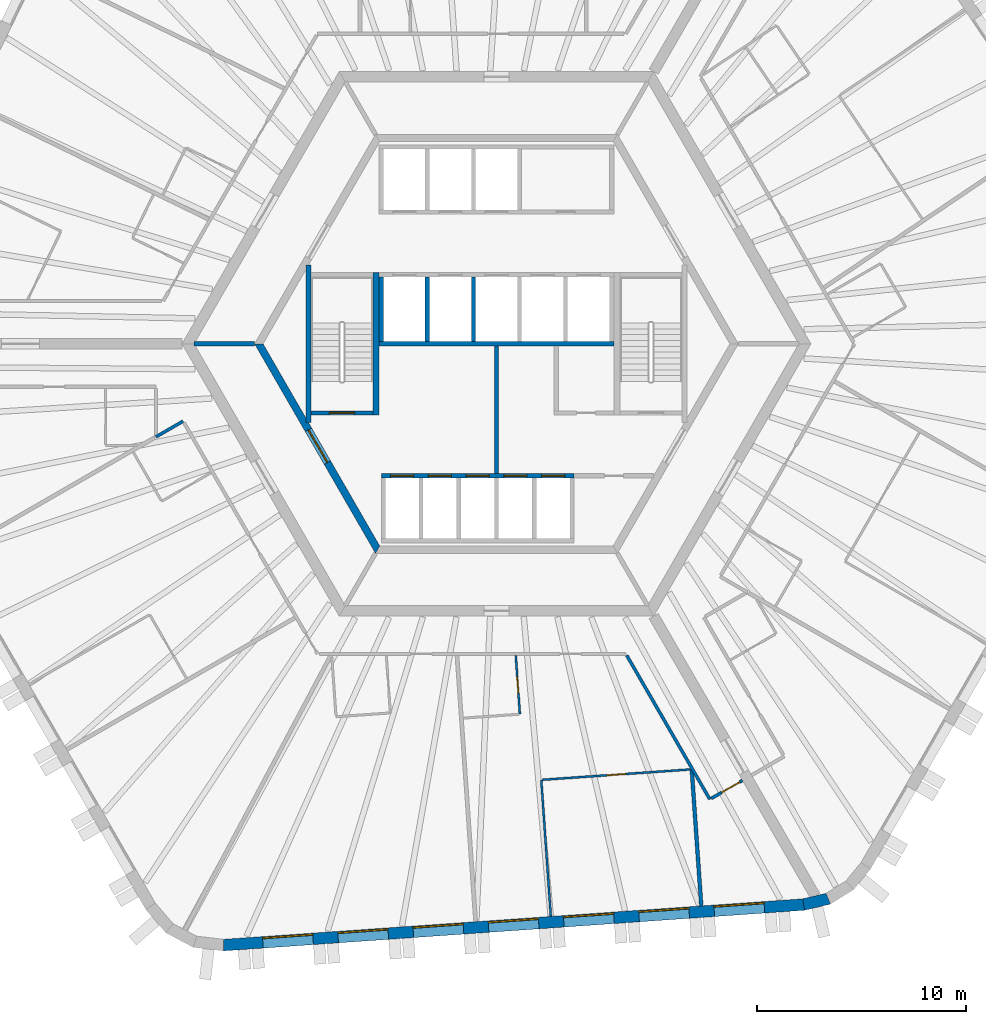
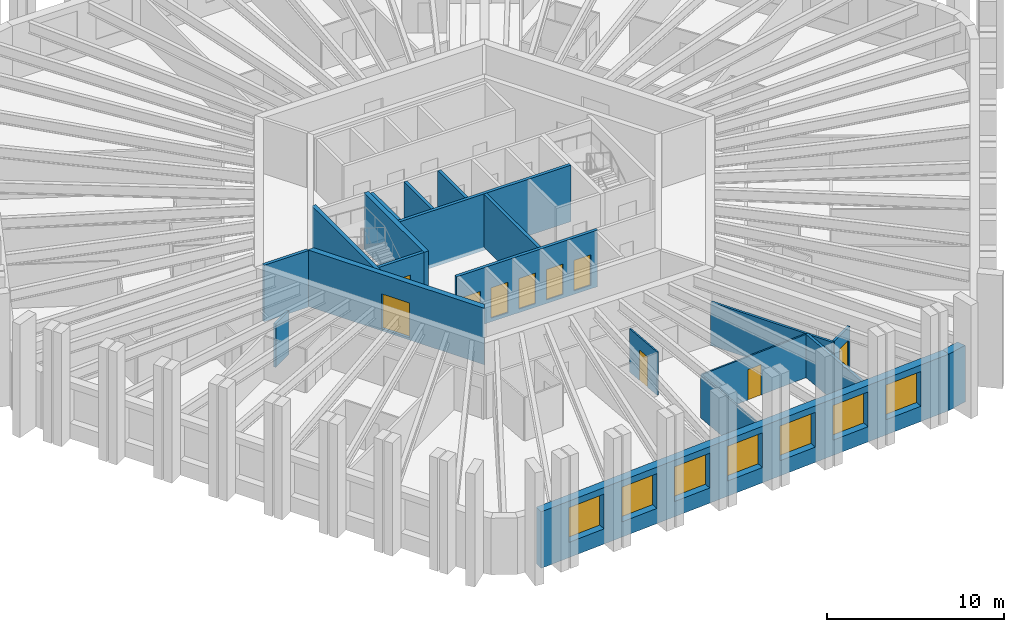
# One storey, part 4 of 10: 20 walls, 10 doors, 7 windows, 17 openings.
"""IFC4 building model written with IfcOpenShell, lengths in metres."""

from ifc_helpers import new_model, si_unit, direction, frame, frame_2d, origin, place, context, subcontext, project, spatial, polyline, rectangle, outline, extrude, material, layer, layer_set, type_object, element, fill, save


model = new_model("IFC4")

# Units and contexts
model_context = context("Model", 3, precision=1e-05, world=origin(), true_north=direction((0.0, 1.0)))
body_context = subcontext(model_context, "Body", "Model", "MODEL_VIEW")
ifc_project = project(units=[si_unit("LENGTHUNIT", "METRE"), si_unit("AREAUNIT", "SQUARE_METRE"), si_unit("VOLUMEUNIT", "CUBIC_METRE"), si_unit("PLANEANGLEUNIT", "RADIAN"), si_unit("MASSUNIT", "GRAM", prefix="KILO")], contexts=[model_context])

# Site, building, storey
site_placement = place(None, origin())
site = spatial("IfcSite", under=ifc_project, at=site_placement, CompositionType="ELEMENT")
building_placement = place(site_placement, origin())
building = spatial("IfcBuilding", under=site, at=building_placement, Name="Tarnside Tower", CompositionType="ELEMENT")
storey_placement = place(building_placement, frame((0.0, 0.0, 176.10009765625)))
storey = spatial("IfcBuildingStorey", under=building, at=storey_placement, Name="L41", CompositionType="ELEMENT", Elevation=176.10009765625)

# Wall, opening, door
ifc_material_1 = material(Name="Gypsum board partition on steel studs", Category="steel")
ifc_layer_1 = layer(ifc_material_1, 0.10009765625)
ifc_layer_set_1 = layer_set([ifc_layer_1], Name="Bathroom wall 100")
wall_type_1 = type_object("IfcWallType", Name="Bathroom wall 100", PredefinedType="PARTITIONING", material=ifc_layer_set_1)
wall_1_placement = place(storey_placement, frame((0.921875, -14.875, 0.0), z_axis=(0.0, 0.0, 1.0), x_axis=(0.069759103431, -0.997563866371, 0.0)))
wall_1 = element("IfcWall", 1, at=wall_1_placement, inside=storey, type_object=wall_type_1, Name="Bathroom wall 13087", PredefinedType="PARTITIONING", context=body_context, shape_type="SweptSolid", body=[
    extrude(rectangle(XDim=2.810302734375, YDim=0.10009765625, at=frame_2d((1.4052734375, 0.0))), origin(), (0.0, 0.0, 1.0), 2.98779296875),
])
opening_1_placement = place(wall_1_placement, frame((1.010498046875, 0.0, 0.0)))
opening_1 = element("IfcOpeningElement", 2, at=opening_1_placement, cuts=wall_1, Name="Opening D-B1", PredefinedType="OPENING", context=body_context, shape_type="SweptSolid", body=[
    extrude(rectangle(XDim=0.800048828125, YDim=2.10009765625, at=frame_2d((0.39990234375, 1.050048828125))), frame((0.0, 0.06005859375, 0.0), z_axis=(0.0, -1.0, 0.0), x_axis=(1.0, 0.0, 0.0)), (0.0, 0.0, 1.0), 0.1201171875),
])
ifc_material_2 = material(Name="Timber door leaf", Category="wood")
door_type_1 = type_object("IfcDoorType", Name="Bathroom door 800", OperationType="NOTDEFINED", PredefinedType="DOOR", material=ifc_material_2)
door_1_placement = place(opening_1_placement, origin())
door_1 = element("IfcDoor", 3, at=door_1_placement, inside=storey, type_object=door_type_1, Name="Bathroom door 13021", OperationType="SINGLE_SWING_RIGHT", OverallHeight=2.10009765625, OverallWidth=0.800048828125, PredefinedType="DOOR", context=body_context, shape_type="SweptSolid", body=[
    extrude(rectangle(XDim=0.800048828125, YDim=2.10009765625, at=frame_2d((0.39990234375, 1.050048828125))), frame((0.0, 0.02490234375, 0.0), z_axis=(0.0, -1.0, 0.0), x_axis=(1.0, 0.0, 0.0)), (0.0, 0.0, 1.0), 0.050048828125),
])
fill(opening_1, door_1)

ifc_material_3 = material(Name="Concrete C50/60", Category="concrete")
ifc_layer_2 = layer(ifc_material_3, 0.35009765625)
ifc_layer_set_2 = layer_set([ifc_layer_2], Name="Core block wall 350 C50/60")
wall_type_2 = type_object("IfcWallType", Name="Core block wall 350 C50/60", PredefinedType="SHEAR", material=ifc_layer_set_2)
wall_2_placement = place(storey_placement, frame((-11.344970703125, 0.0, -0.150146484375), z_axis=(0.0, 0.0, 1.0), x_axis=(0.499995046907, -0.866028263435, 0.0)))
wall_2 = element("IfcWall", 4, at=wall_2_placement, inside=storey, type_object=wall_type_2, Name="L41 core block wall face 3", PredefinedType="SHEAR", context=body_context, shape_type="SweptSolid", body=[
    extrude(outline(polyline([(-0.10107421875, -0.175048828125), (11.44580078125, -0.175048828125), (11.24365234375, 0.175048828125), (0.10107421875, 0.175048828125), (-0.10107421875, -0.175048828125)])), origin(), (0.0, 0.0, 1.0), 3.900146484375),
])
opening_2_placement = place(wall_2_placement, frame((4.74365234375, 0.0, 0.14990234375)))
opening_2 = element("IfcOpeningElement", 5, at=opening_2_placement, cuts=wall_2, Name="Opening CD-FFL", PredefinedType="OPENING", context=body_context, shape_type="SweptSolid", body=[
    extrude(rectangle(XDim=1.800048828125, YDim=2.39990234375, at=frame_2d((0.89990234375, 1.199951171875))), frame((0.0, 0.18505859375, 0.0), z_axis=(0.0, -1.0, 0.0), x_axis=(1.0, 0.0, 0.0)), (0.0, 0.0, 1.0), 0.3701171875),
])
ifc_material_4 = material(Name="Steel fire door", Category="steel")
door_type_2 = type_object("IfcDoorType", Name="Firefighting lobby double door FD60S 1800x2400", OperationType="NOTDEFINED", PredefinedType="DOOR", material=ifc_material_4)
door_2_placement = place(opening_2_placement, origin())
door_2 = element("IfcDoor", 6, at=door_2_placement, inside=storey, type_object=door_type_2, Name="L41 lobby block door P3", OperationType="DOUBLE_DOOR_SINGLE_SWING", OverallHeight=2.39990234375, OverallWidth=1.800048828125, PredefinedType="DOOR", context=body_context, shape_type="SweptSolid", body=[
    extrude(rectangle(XDim=1.800048828125, YDim=2.39990234375, at=frame_2d((0.89990234375, 1.199951171875))), frame((0.0, 0.02490234375, 0.0), z_axis=(0.0, -1.0, 0.0), x_axis=(1.0, 0.0, 0.0)), (0.0, 0.0, 1.0), 0.050048828125),
])
fill(opening_2, door_2)

# Walls
ifc_material_5 = material(Name="Concrete C40/50", Category="concrete")
ifc_layer_3 = layer(ifc_material_5, 0.199951171875)
ifc_layer_set_3 = layer_set([ifc_layer_3], Name="Core room partition 200 C40/50")
wall_type_3 = type_object("IfcWallType", Name="Core room partition 200 C40/50", PredefinedType="PARTITIONING", material=ifc_layer_set_3)
wall_3_placement = place(storey_placement, frame((0.0, -6.199951171875, 0.0), z_axis=(0.0, 0.0, 1.0), x_axis=(0.0, 1.0, 0.0)))
element("IfcWall", 7, at=wall_3_placement, inside=storey, type_object=wall_type_3, Name="L41 core partition X0", PredefinedType="PARTITIONING", context=body_context, shape_type="SweptSolid", body=[
    extrude(rectangle(XDim=6.099853515625, YDim=0.199951171875, at=frame_2d((3.0498046875, 0.0))), origin(), (0.0, 0.0, 1.0), 3.64990234375),
])
ifc_layer_4 = layer(ifc_material_1, 0.14990234375)
ifc_layer_set_4 = layer_set([ifc_layer_4], Name="Corridor wall 150 EI 60")
wall_type_4 = type_object("IfcWallType", Name="Corridor wall 150 EI 60", PredefinedType="PARTITIONING", material=ifc_layer_set_4)
wall_4_placement = place(storey_placement, frame((-16.25927734375, -4.44287109375, 0.0), z_axis=(0.0, 0.0, 1.0), x_axis=(0.866004263386, 0.500036614457, 0.0)))
element("IfcWall", 8, at=wall_4_placement, inside=storey, type_object=wall_type_4, Name="Corridor wall 13022", PredefinedType="PARTITIONING", context=body_context, shape_type="SweptSolid", body=[
    extrude(rectangle(XDim=1.50244140625, YDim=0.14990234375, at=frame_2d((0.751220703125, 0.0))), origin(), (0.0, 0.0, 1.0), 2.98779296875),
])
wall_5_placement = place(storey_placement, frame((6.220947265625, -14.875, 0.0), z_axis=(0.0, 0.0, 1.0), x_axis=(0.499989830942, -0.866031274813, 0.0)))
element("IfcWall", 9, at=wall_5_placement, inside=storey, type_object=wall_type_4, Name="Corridor wall 13029", PredefinedType="PARTITIONING", context=body_context, shape_type="SweptSolid", body=[
    extrude(rectangle(XDim=7.930419921875, YDim=0.14990234375, at=frame_2d((3.96533203125, 0.0))), origin(), (0.0, 0.0, 1.0), 2.98779296875),
])

# Wall, opening, door
wall_6_placement = place(storey_placement, frame((10.2509765625, -21.705322265625, 0.0), z_axis=(0.0, 0.0, 1.0), x_axis=(0.866013532718, 0.500020560727, 0.0)))
wall_6 = element("IfcWall", 10, at=wall_6_placement, inside=storey, type_object=wall_type_4, Name="Corridor wall 13032", PredefinedType="PARTITIONING", context=body_context, shape_type="SweptSolid", body=[
    extrude(rectangle(XDim=1.72509765625, YDim=0.14990234375, at=frame_2d((0.862548828125, 0.0))), origin(), (0.0, 0.0, 1.0), 2.98779296875),
])
opening_3_placement = place(wall_6_placement, frame((0.574951171875, 0.0, 0.0)))
opening_3 = element("IfcOpeningElement", 11, at=opening_3_placement, cuts=wall_6, Name="Opening D-E1", PredefinedType="OPENING", context=body_context, shape_type="SweptSolid", body=[
    extrude(rectangle(XDim=1.0, YDim=2.10009765625, at=frame_2d((0.5, 1.050048828125))), frame((0.0, 0.0849609375, 0.0), z_axis=(0.0, -1.0, 0.0), x_axis=(1.0, 0.0, 0.0)), (0.0, 0.0, 1.0), 0.169921875),
])
door_type_3 = type_object("IfcDoorType", Name="Unit entrance door 1000 FD30S", OperationType="NOTDEFINED", PredefinedType="DOOR", material=ifc_material_2)
door_3_placement = place(opening_3_placement, origin())
door_3 = element("IfcDoor", 12, at=door_3_placement, inside=storey, type_object=door_type_3, Name="Unit door 13023", OperationType="SINGLE_SWING_LEFT", OverallHeight=2.10009765625, OverallWidth=1.0, PredefinedType="DOOR", context=body_context, shape_type="SweptSolid", body=[
    extrude(rectangle(XDim=1.0, YDim=2.10009765625, at=frame_2d((0.5, 1.050048828125))), frame((0.0, 0.02490234375, 0.0), z_axis=(0.0, -1.0, 0.0), x_axis=(1.0, 0.0, 0.0)), (0.0, 0.0, 1.0), 0.050048828125),
])
fill(opening_3, door_3)

# Walls
ifc_layer_5 = layer(ifc_material_1, 0.179931640625)
ifc_layer_set_5 = layer_set([ifc_layer_5], Name="Demising wall 180 EI 60")
wall_type_5 = type_object("IfcWallType", Name="Demising wall 180 EI 60", PredefinedType="PARTITIONING", material=ifc_layer_set_5)
wall_7_placement = place(storey_placement, frame((9.777587890625, -26.833251953125, 0.0), z_axis=(0.0, 0.0, 1.0), x_axis=(-0.069750353544, 0.997564478207, 0.0)))
element("IfcWall", 13, at=wall_7_placement, inside=storey, type_object=wall_type_5, Name="Demising wall 13091", PredefinedType="PARTITIONING", context=body_context, shape_type="SweptSolid", body=[
    extrude(rectangle(XDim=6.538330078125, YDim=0.179931640625, at=frame_2d((3.26904296875, 0.0))), origin(), (0.0, 0.0, 1.0), 2.98779296875),
])
ifc_layer_6 = layer(ifc_material_5, 0.199951171875)
ifc_layer_set_6 = layer_set([ifc_layer_6], Name="Lift shaft wall 200 C40/50")
wall_type_6 = type_object("IfcWallType", Name="Lift shaft wall 200 C40/50", PredefinedType="SHEAR", material=ifc_layer_set_6)
wall_8_placement = place(storey_placement, frame((-5.60009765625, 0.0, -0.25), z_axis=(0.0, 0.0, 1.0), x_axis=(1.0, 0.0, 0.0)))
element("IfcWall", 14, at=wall_8_placement, inside=storey, type_object=wall_type_6, Name="L41 lift shaft back wall R2", PredefinedType="SHEAR", context=body_context, shape_type="SweptSolid", body=[
    extrude(rectangle(XDim=11.2001953125, YDim=0.199951171875, at=frame_2d((5.60009765625, 0.0))), origin(), (0.0, 0.0, 1.0), 3.89990234375),
])
for number, where, z_axis, x_axis, name in (
    (15, (-5.5, 0.10009765625, -0.25), (0.0, 0.0, 1.0), (0.0, 1.0, 0.0), "L41 lift shaft partition R21"),
    (16, (-3.300048828125, 0.10009765625, -0.25), (0.0, 0.0, 1.0), (0.0, 1.0, 0.0), "L41 lift shaft partition R22"),
    (17, (-1.10009765625, 0.10009765625, -0.25), (0.0, 0.0, 1.0), (0.0, 1.0, 0.0), "L41 lift shaft partition R23"),
):
    element("IfcWall", number, at=place(storey_placement, frame(where, z_axis=z_axis, x_axis=x_axis)), inside=storey, type_object=wall_type_6, Name=name, PredefinedType="SHEAR", context=body_context, shape_type="SweptSolid", body=[
        extrude(rectangle(XDim=3.099853515625, YDim=0.199951171875, at=frame_2d((1.5498046875, 0.0))), origin(), (0.0, 0.0, 1.0), 3.89990234375),
    ])

# Wall, openings, doors
wall_9_placement = place(storey_placement, frame((-5.5, -6.300048828125, -0.25), z_axis=(0.0, 0.0, 1.0), x_axis=(1.0, 0.0, 0.0)))
wall_9 = element("IfcWall", 18, at=wall_9_placement, inside=storey, type_object=wall_type_6, Name="L41 lift shaft front wall R4", PredefinedType="SHEAR", context=body_context, shape_type="SweptSolid", body=[
    extrude(rectangle(XDim=9.199951171875, YDim=0.199951171875, at=frame_2d((4.60009765625, 0.0))), origin(), (0.0, 0.0, 1.0), 3.89990234375),
])
opening_4_placement = place(wall_9_placement, frame((0.449951171875, 0.0, 0.25)))
opening_4 = element("IfcOpeningElement", 19, at=opening_4_placement, cuts=wall_9, Name="Opening LDF", PredefinedType="OPENING", context=body_context, shape_type="SweptSolid", body=[
    extrude(rectangle(XDim=1.10009765625, YDim=2.10009765625, at=frame_2d((0.550048828125, 1.050048828125))), frame((0.0, 0.10986328125, 0.0), z_axis=(0.0, -1.0, 0.0), x_axis=(1.0, 0.0, 0.0)), (0.0, 0.0, 1.0), 0.219970703125),
])
opening_5_placement = place(wall_9_placement, frame((2.25, 0.0, 0.25)))
opening_5 = element("IfcOpeningElement", 20, at=opening_5_placement, cuts=wall_9, Name="Opening LDF", PredefinedType="OPENING", context=body_context, shape_type="SweptSolid", body=[
    extrude(rectangle(XDim=1.10009765625, YDim=2.10009765625, at=frame_2d((0.550048828125, 1.050048828125))), frame((0.0, 0.10986328125, 0.0), z_axis=(0.0, -1.0, 0.0), x_axis=(1.0, 0.0, 0.0)), (0.0, 0.0, 1.0), 0.219970703125),
])
opening_6_placement = place(wall_9_placement, frame((4.050048828125, 0.0, 0.25)))
opening_6 = element("IfcOpeningElement", 21, at=opening_6_placement, cuts=wall_9, Name="Opening LDF", PredefinedType="OPENING", context=body_context, shape_type="SweptSolid", body=[
    extrude(rectangle(XDim=1.10009765625, YDim=2.10009765625, at=frame_2d((0.550048828125, 1.050048828125))), frame((0.0, 0.10986328125, 0.0), z_axis=(0.0, -1.0, 0.0), x_axis=(1.0, 0.0, 0.0)), (0.0, 0.0, 1.0), 0.219970703125),
])
opening_7_placement = place(wall_9_placement, frame((5.85009765625, 0.0, 0.25)))
opening_7 = element("IfcOpeningElement", 22, at=opening_7_placement, cuts=wall_9, Name="Opening LDF", PredefinedType="OPENING", context=body_context, shape_type="SweptSolid", body=[
    extrude(rectangle(XDim=1.10009765625, YDim=2.10009765625, at=frame_2d((0.550048828125, 1.050048828125))), frame((0.0, 0.10986328125, 0.0), z_axis=(0.0, -1.0, 0.0), x_axis=(1.0, 0.0, 0.0)), (0.0, 0.0, 1.0), 0.219970703125),
])
opening_8_placement = place(wall_9_placement, frame((7.64990234375, 0.0, 0.25)))
opening_8 = element("IfcOpeningElement", 23, at=opening_8_placement, cuts=wall_9, Name="Opening LDF", PredefinedType="OPENING", context=body_context, shape_type="SweptSolid", body=[
    extrude(rectangle(XDim=1.10009765625, YDim=2.10009765625, at=frame_2d((0.550048828125, 1.050048828125))), frame((0.0, 0.10986328125, 0.0), z_axis=(0.0, -1.0, 0.0), x_axis=(1.0, 0.0, 0.0)), (0.0, 0.0, 1.0), 0.219970703125),
])
ifc_material_6 = material(Name="Stainless steel", Category="steel")
door_type_4 = type_object("IfcDoorType", Name="Lift landing door 1100x2100 EI 120", OperationType="NOTDEFINED", PredefinedType="DOOR", material=ifc_material_6)
door_4_placement = place(opening_4_placement, origin())
door_4 = element("IfcDoor", 24, at=door_4_placement, inside=storey, type_object=door_type_4, Name="Firefighting lift 1 landing door L41", OperationType="SLIDING_TO_LEFT", OverallHeight=2.10009765625, OverallWidth=1.10009765625, PredefinedType="DOOR", context=body_context, shape_type="SweptSolid", body=[
    extrude(rectangle(XDim=1.10009765625, YDim=2.10009765625, at=frame_2d((0.550048828125, 1.050048828125))), frame((0.0, 0.02490234375, 0.0), z_axis=(0.0, -1.0, 0.0), x_axis=(1.0, 0.0, 0.0)), (0.0, 0.0, 1.0), 0.050048828125),
])
fill(opening_4, door_4)
door_5_placement = place(opening_5_placement, origin())
door_5 = element("IfcDoor", 25, at=door_5_placement, inside=storey, type_object=door_type_4, Name="Firefighting lift 2 landing door L41", OperationType="SLIDING_TO_LEFT", OverallHeight=2.10009765625, OverallWidth=1.10009765625, PredefinedType="DOOR", context=body_context, shape_type="SweptSolid", body=[
    extrude(rectangle(XDim=1.10009765625, YDim=2.10009765625, at=frame_2d((0.550048828125, 1.050048828125))), frame((0.0, 0.02490234375, 0.0), z_axis=(0.0, -1.0, 0.0), x_axis=(1.0, 0.0, 0.0)), (0.0, 0.0, 1.0), 0.050048828125),
])
fill(opening_5, door_5)
door_6_placement = place(opening_6_placement, origin())
door_6 = element("IfcDoor", 26, at=door_6_placement, inside=storey, type_object=door_type_4, Name="Firefighting lift 3 landing door L41", OperationType="SLIDING_TO_LEFT", OverallHeight=2.10009765625, OverallWidth=1.10009765625, PredefinedType="DOOR", context=body_context, shape_type="SweptSolid", body=[
    extrude(rectangle(XDim=1.10009765625, YDim=2.10009765625, at=frame_2d((0.550048828125, 1.050048828125))), frame((0.0, 0.02490234375, 0.0), z_axis=(0.0, -1.0, 0.0), x_axis=(1.0, 0.0, 0.0)), (0.0, 0.0, 1.0), 0.050048828125),
])
fill(opening_6, door_6)
door_7_placement = place(opening_7_placement, origin())
door_7 = element("IfcDoor", 27, at=door_7_placement, inside=storey, type_object=door_type_4, Name="Firefighting lift 4 landing door L41", OperationType="SLIDING_TO_LEFT", OverallHeight=2.10009765625, OverallWidth=1.10009765625, PredefinedType="DOOR", context=body_context, shape_type="SweptSolid", body=[
    extrude(rectangle(XDim=1.10009765625, YDim=2.10009765625, at=frame_2d((0.550048828125, 1.050048828125))), frame((0.0, 0.02490234375, 0.0), z_axis=(0.0, -1.0, 0.0), x_axis=(1.0, 0.0, 0.0)), (0.0, 0.0, 1.0), 0.050048828125),
])
fill(opening_7, door_7)
door_8_placement = place(opening_8_placement, origin())
door_8 = element("IfcDoor", 28, at=door_8_placement, inside=storey, type_object=door_type_4, Name="Firefighting lift 5 landing door L41", OperationType="SLIDING_TO_LEFT", OverallHeight=2.10009765625, OverallWidth=1.10009765625, PredefinedType="DOOR", context=body_context, shape_type="SweptSolid", body=[
    extrude(rectangle(XDim=1.10009765625, YDim=2.10009765625, at=frame_2d((0.550048828125, 1.050048828125))), frame((0.0, 0.02490234375, 0.0), z_axis=(0.0, -1.0, 0.0), x_axis=(1.0, 0.0, 0.0)), (0.0, 0.0, 1.0), 0.050048828125),
])
fill(opening_8, door_8)

# Wall
wall_10_placement = place(storey_placement, frame((-11.547119140625, 0.0, -0.150146484375), z_axis=(0.0, 0.0, 1.0), x_axis=(-1.0, 0.0, 0.0)))
element("IfcWall", 29, at=wall_10_placement, inside=storey, type_object=wall_type_6, Name="L41 core partition AR180", PredefinedType="SHEAR", context=body_context, shape_type="SweptSolid", body=[
    extrude(rectangle(XDim=2.88671875, YDim=0.199951171875, at=frame_2d((1.443359375, 0.0))), origin(), (0.0, 0.0, 1.0), 3.900146484375),
])

# Wall, opening, door
wall_11_placement = place(storey_placement, frame((-8.85009765625, -3.300048828125, -0.25), z_axis=(0.0, 0.0, 1.0), x_axis=(1.0, 0.0, 0.0)))
wall_11 = element("IfcWall", 30, at=wall_11_placement, inside=storey, type_object=wall_type_6, Name="L41 stair 2 enclosure cap wall s", PredefinedType="SHEAR", context=body_context, shape_type="SweptSolid", body=[
    extrude(rectangle(XDim=2.9501953125, YDim=0.199951171875, at=frame_2d((1.47509765625, 0.0))), origin(), (0.0, 0.0, 1.0), 3.89990234375),
])
opening_9_placement = place(wall_11_placement, frame((0.875, 0.0, 0.25)))
opening_9 = element("IfcOpeningElement", 31, at=opening_9_placement, cuts=wall_11, Name="Opening CD-STR", PredefinedType="OPENING", context=body_context, shape_type="SweptSolid", body=[
    extrude(rectangle(XDim=1.199951171875, YDim=2.39990234375, at=frame_2d((0.60009765625, 1.199951171875))), frame((0.0, 0.10986328125, 0.0), z_axis=(0.0, -1.0, 0.0), x_axis=(1.0, 0.0, 0.0)), (0.0, 0.0, 1.0), 0.219970703125),
])
door_type_5 = type_object("IfcDoorType", Name="Stair door FD60S 1200x2400", OperationType="NOTDEFINED", PredefinedType="DOOR", material=ifc_material_4)
door_9_placement = place(opening_9_placement, origin())
door_9 = element("IfcDoor", 32, at=door_9_placement, inside=storey, type_object=door_type_5, Name="L41 stair 2 door", OperationType="SINGLE_SWING_LEFT", OverallHeight=2.39990234375, OverallWidth=1.199951171875, PredefinedType="DOOR", context=body_context, shape_type="SweptSolid", body=[
    extrude(rectangle(XDim=1.199951171875, YDim=2.39990234375, at=frame_2d((0.60009765625, 1.199951171875))), frame((0.0, 0.02490234375, 0.0), z_axis=(0.0, -1.0, 0.0), x_axis=(1.0, 0.0, 0.0)), (0.0, 0.0, 1.0), 0.050048828125),
])
fill(opening_9, door_9)

# Wall
ifc_layer_7 = layer(ifc_material_1, 0.10009765625)
ifc_layer_set_7 = layer_set([ifc_layer_7], Name="Partition 100")
wall_type_7 = type_object("IfcWallType", Name="Partition 100", PredefinedType="PARTITIONING", material=ifc_layer_set_7)
wall_12_placement = place(storey_placement, frame((2.59521484375, -27.33544921875, 0.0), z_axis=(0.0, 0.0, 1.0), x_axis=(-0.069771144576, 0.997563024267, 0.0)))
element("IfcWall", 33, at=wall_12_placement, inside=storey, type_object=wall_type_7, Name="Partition wall 13089", PredefinedType="PARTITIONING", context=body_context, shape_type="SweptSolid", body=[
    extrude(rectangle(XDim=6.536376953125, YDim=0.10009765625, at=frame_2d((3.26806640625, 0.0))), origin(), (0.0, 0.0, 1.0), 2.98779296875),
])

# Wall, opening, door
wall_13_placement = place(storey_placement, frame((2.189208984375, -20.8115234375, 0.0), z_axis=(0.0, 0.0, 1.0), x_axis=(0.997564480369, 0.06975032263, 0.0)))
wall_13 = element("IfcWall", 34, at=wall_13_placement, inside=storey, type_object=wall_type_7, Name="Partition wall 13090", PredefinedType="PARTITIONING", context=body_context, shape_type="SweptSolid", body=[
    extrude(rectangle(XDim=7.059814453125, YDim=0.10009765625, at=frame_2d((3.52978515625, 0.0))), origin(), (0.0, 0.0, 1.0), 2.98779296875),
])
opening_10_placement = place(wall_13_placement, frame((3.10009765625, 0.0, 0.0)))
opening_10 = element("IfcOpeningElement", 35, at=opening_10_placement, cuts=wall_13, Name="Opening D-I1", PredefinedType="OPENING", context=body_context, shape_type="SweptSolid", body=[
    extrude(rectangle(XDim=0.89990234375, YDim=2.10009765625, at=frame_2d((0.449951171875, 1.050048828125))), frame((0.0, 0.06005859375, 0.0), z_axis=(0.0, -1.0, 0.0), x_axis=(1.0, 0.0, 0.0)), (0.0, 0.0, 1.0), 0.1201171875),
])
door_type_6 = type_object("IfcDoorType", Name="Internal door 900", OperationType="NOTDEFINED", PredefinedType="DOOR", material=ifc_material_2)
door_10_placement = place(opening_10_placement, origin())
door_10 = element("IfcDoor", 36, at=door_10_placement, inside=storey, type_object=door_type_6, Name="Internal door 13022", OperationType="SINGLE_SWING_LEFT", OverallHeight=2.10009765625, OverallWidth=0.89990234375, PredefinedType="DOOR", context=body_context, shape_type="SweptSolid", body=[
    extrude(rectangle(XDim=0.89990234375, YDim=2.10009765625, at=frame_2d((0.449951171875, 1.050048828125))), frame((0.0, 0.02490234375, 0.0), z_axis=(0.0, -1.0, 0.0), x_axis=(1.0, 0.0, 0.0)), (0.0, 0.0, 1.0), 0.050048828125),
])
fill(opening_10, door_10)

# Walls
ifc_layer_8 = layer(ifc_material_5, 0.25)
ifc_layer_set_8 = layer_set([ifc_layer_8], Name="Stair enclosure wall 250 C40/50")
wall_type_8 = type_object("IfcWallType", Name="Stair enclosure wall 250 C40/50", PredefinedType="SHEAR", material=ifc_layer_set_8)
wall_14_placement = place(storey_placement, frame((-8.97509765625, -3.7548828125, -0.25), z_axis=(0.0, 0.0, 1.0), x_axis=(0.0, 1.0, 0.0)))
element("IfcWall", 37, at=wall_14_placement, inside=storey, type_object=wall_type_8, Name="L41 stair 2 enclosure wall outer", PredefinedType="SHEAR", context=body_context, shape_type="SweptSolid", body=[
    extrude(rectangle(XDim=7.509765625, YDim=0.25, at=frame_2d((3.7548828125, 0.0))), origin(), (0.0, 0.0, 1.0), 3.89990234375),
])
ifc_layer_9 = layer(ifc_material_5, 0.300048828125)
ifc_layer_set_9 = layer_set([ifc_layer_9], Name="Stair enclosure wall 300 C40/50")
wall_type_9 = type_object("IfcWallType", Name="Stair enclosure wall 300 C40/50", PredefinedType="SHEAR", material=ifc_layer_set_9)
wall_15_placement = place(storey_placement, frame((-5.75, -3.39990234375, -0.25), z_axis=(0.0, 0.0, 1.0), x_axis=(0.0, 1.0, 0.0)))
element("IfcWall", 38, at=wall_15_placement, inside=storey, type_object=wall_type_9, Name="L41 stair 2 enclosure wall inner", PredefinedType="SHEAR", context=body_context, shape_type="SweptSolid", body=[
    extrude(rectangle(XDim=6.7998046875, YDim=0.300048828125, at=frame_2d((3.39990234375, 0.0))), origin(), (0.0, 0.0, 1.0), 3.89990234375),
])

# Wall, openings, windows
ifc_material_7 = material(Name="Facing brick", Category="masonry")
ifc_layer_10 = layer(ifc_material_7, 0.10205078125)
ifc_material_8 = material(Name="Concrete C60/75 precast", Category="concrete")
ifc_layer_11 = layer(ifc_material_8, 0.347900390625)
ifc_material_9 = material(Name="Mineral wool insulation")
ifc_layer_12 = layer(ifc_material_9, 0.10009765625)
ifc_layer_set_10 = layer_set([ifc_layer_10, ifc_layer_11, ifc_layer_12], Name="Tube wall 550 brick faced")
wall_type_10 = type_object("IfcWallType", Name="Tube wall 550 brick faced", PredefinedType="SOLIDWALL", material=ifc_layer_set_10)
wall_16_placement = place(storey_placement, frame((-13.0263671875, -28.70361328125, -0.150146484375), z_axis=(0.0, 0.0, 1.0), x_axis=(0.99756406806, 0.069756219185, 0.0)))
wall_16 = element("IfcWall", 39, at=wall_16_placement, inside=storey, type_object=wall_type_10, Name="Tube wall L41 F4 flush 12", PredefinedType="SOLIDWALL", context=body_context, shape_type="SweptSolid", body=[
    extrude(outline(polyline([(-0.025634765625, -0.27490234375), (27.7802734375, -0.27490234375), (27.7353515625, 0.27490234375), (0.025634765625, 0.27490234375), (-0.025634765625, -0.27490234375)])), origin(), (0.0, 0.0, 1.0), 3.900146484375),
])
opening_11_placement = place(wall_16_placement, frame((1.87890625, 0.0, 1.050048828125)))
opening_11 = element("IfcOpeningElement", 40, at=opening_11_placement, cuts=wall_16, Name="Opening WH", PredefinedType="OPENING", context=body_context, shape_type="SweptSolid", body=[
    extrude(rectangle(XDim=2.39990234375, YDim=2.39990234375, at=frame_2d((1.199951171875, 1.199951171875))), frame((0.0, 0.28515625, 0.0), z_axis=(0.0, -1.0, 0.0), x_axis=(1.0, 0.0, 0.0)), (0.0, 0.0, 1.0), 0.570068359375),
])
opening_12_placement = place(wall_16_placement, frame((5.47900390625, 0.0, 1.050048828125)))
opening_12 = element("IfcOpeningElement", 41, at=opening_12_placement, cuts=wall_16, Name="Opening WH", PredefinedType="OPENING", context=body_context, shape_type="SweptSolid", body=[
    extrude(rectangle(XDim=2.39990234375, YDim=2.39990234375, at=frame_2d((1.199951171875, 1.199951171875))), frame((0.0, 0.28515625, 0.0), z_axis=(0.0, -1.0, 0.0), x_axis=(1.0, 0.0, 0.0)), (0.0, 0.0, 1.0), 0.570068359375),
])
opening_13_placement = place(wall_16_placement, frame((9.078857421875, 0.0, 1.050048828125)))
opening_13 = element("IfcOpeningElement", 42, at=opening_13_placement, cuts=wall_16, Name="Opening WH", PredefinedType="OPENING", context=body_context, shape_type="SweptSolid", body=[
    extrude(rectangle(XDim=2.39990234375, YDim=2.39990234375, at=frame_2d((1.199951171875, 1.199951171875))), frame((0.0, 0.28515625, 0.0), z_axis=(0.0, -1.0, 0.0), x_axis=(1.0, 0.0, 0.0)), (0.0, 0.0, 1.0), 0.570068359375),
])
opening_14_placement = place(wall_16_placement, frame((12.678955078125, 0.0, 1.050048828125)))
opening_14 = element("IfcOpeningElement", 43, at=opening_14_placement, cuts=wall_16, Name="Opening WH", PredefinedType="OPENING", context=body_context, shape_type="SweptSolid", body=[
    extrude(rectangle(XDim=2.39990234375, YDim=2.39990234375, at=frame_2d((1.199951171875, 1.199951171875))), frame((0.0, 0.28515625, 0.0), z_axis=(0.0, -1.0, 0.0), x_axis=(1.0, 0.0, 0.0)), (0.0, 0.0, 1.0), 0.570068359375),
])
opening_15_placement = place(wall_16_placement, frame((16.27880859375, 0.0, 1.050048828125)))
opening_15 = element("IfcOpeningElement", 44, at=opening_15_placement, cuts=wall_16, Name="Opening WH", PredefinedType="OPENING", context=body_context, shape_type="SweptSolid", body=[
    extrude(rectangle(XDim=2.39990234375, YDim=2.39990234375, at=frame_2d((1.199951171875, 1.199951171875))), frame((0.0, 0.28515625, 0.0), z_axis=(0.0, -1.0, 0.0), x_axis=(1.0, 0.0, 0.0)), (0.0, 0.0, 1.0), 0.570068359375),
])
opening_16_placement = place(wall_16_placement, frame((19.87890625, 0.0, 1.050048828125)))
opening_16 = element("IfcOpeningElement", 45, at=opening_16_placement, cuts=wall_16, Name="Opening WH", PredefinedType="OPENING", context=body_context, shape_type="SweptSolid", body=[
    extrude(rectangle(XDim=2.39990234375, YDim=2.39990234375, at=frame_2d((1.199951171875, 1.199951171875))), frame((0.0, 0.28515625, 0.0), z_axis=(0.0, -1.0, 0.0), x_axis=(1.0, 0.0, 0.0)), (0.0, 0.0, 1.0), 0.570068359375),
])
opening_17_placement = place(wall_16_placement, frame((23.47900390625, 0.0, 1.050048828125)))
opening_17 = element("IfcOpeningElement", 46, at=opening_17_placement, cuts=wall_16, Name="Opening WH", PredefinedType="OPENING", context=body_context, shape_type="SweptSolid", body=[
    extrude(rectangle(XDim=2.39990234375, YDim=2.39990234375, at=frame_2d((1.199951171875, 1.199951171875))), frame((0.0, 0.28515625, 0.0), z_axis=(0.0, -1.0, 0.0), x_axis=(1.0, 0.0, 0.0)), (0.0, 0.0, 1.0), 0.570068359375),
])
ifc_material_10 = material(Name="Aluminium-framed double glazing", Category="aluminium")
window_type = type_object("IfcWindowType", Name="Hotel window 2400 x 2400", PartitioningType="DOUBLE_PANEL_VERTICAL", PredefinedType="WINDOW", material=ifc_material_10)
window_1_placement = place(opening_11_placement, frame((0.0, 0.205078125, 0.0)))
window_1 = element("IfcWindow", 47, at=window_1_placement, inside=storey, type_object=window_type, Name="E.WN.L41.F4.00", OverallHeight=2.39990234375, OverallWidth=2.39990234375, PartitioningType="DOUBLE_PANEL_VERTICAL", PredefinedType="WINDOW", context=body_context, shape_type="SweptSolid", body=[
    extrude(rectangle(XDim=2.39990234375, YDim=2.39990234375, at=frame_2d((1.199951171875, 1.199951171875))), frame((0.0, 0.030029296875, 0.0), z_axis=(0.0, -1.0, 0.0), x_axis=(1.0, 0.0, 0.0)), (0.0, 0.0, 1.0), 0.06005859375),
])
fill(opening_11, window_1)
window_2_placement = place(opening_12_placement, frame((0.0, 0.205078125, 0.0)))
window_2 = element("IfcWindow", 48, at=window_2_placement, inside=storey, type_object=window_type, Name="E.WN.L41.F4.01", OverallHeight=2.39990234375, OverallWidth=2.39990234375, PartitioningType="DOUBLE_PANEL_VERTICAL", PredefinedType="WINDOW", context=body_context, shape_type="SweptSolid", body=[
    extrude(rectangle(XDim=2.39990234375, YDim=2.39990234375, at=frame_2d((1.199951171875, 1.199951171875))), frame((0.0, 0.030029296875, 0.0), z_axis=(0.0, -1.0, 0.0), x_axis=(1.0, 0.0, 0.0)), (0.0, 0.0, 1.0), 0.06005859375),
])
fill(opening_12, window_2)
window_3_placement = place(opening_13_placement, frame((0.0, 0.205078125, 0.0)))
window_3 = element("IfcWindow", 49, at=window_3_placement, inside=storey, type_object=window_type, Name="E.WN.L41.F4.02", OverallHeight=2.39990234375, OverallWidth=2.39990234375, PartitioningType="DOUBLE_PANEL_VERTICAL", PredefinedType="WINDOW", context=body_context, shape_type="SweptSolid", body=[
    extrude(rectangle(XDim=2.39990234375, YDim=2.39990234375, at=frame_2d((1.199951171875, 1.199951171875))), frame((0.0, 0.030029296875, 0.0), z_axis=(0.0, -1.0, 0.0), x_axis=(1.0, 0.0, 0.0)), (0.0, 0.0, 1.0), 0.06005859375),
])
fill(opening_13, window_3)
window_4_placement = place(opening_14_placement, frame((0.0, 0.205078125, 0.0)))
window_4 = element("IfcWindow", 50, at=window_4_placement, inside=storey, type_object=window_type, Name="E.WN.L41.F4.03", OverallHeight=2.39990234375, OverallWidth=2.39990234375, PartitioningType="DOUBLE_PANEL_VERTICAL", PredefinedType="WINDOW", context=body_context, shape_type="SweptSolid", body=[
    extrude(rectangle(XDim=2.39990234375, YDim=2.39990234375, at=frame_2d((1.199951171875, 1.199951171875))), frame((0.0, 0.030029296875, 0.0), z_axis=(0.0, -1.0, 0.0), x_axis=(1.0, 0.0, 0.0)), (0.0, 0.0, 1.0), 0.06005859375),
])
fill(opening_14, window_4)
window_5_placement = place(opening_15_placement, frame((0.0, 0.205078125, 0.0)))
window_5 = element("IfcWindow", 51, at=window_5_placement, inside=storey, type_object=window_type, Name="E.WN.L41.F4.04", OverallHeight=2.39990234375, OverallWidth=2.39990234375, PartitioningType="DOUBLE_PANEL_VERTICAL", PredefinedType="WINDOW", context=body_context, shape_type="SweptSolid", body=[
    extrude(rectangle(XDim=2.39990234375, YDim=2.39990234375, at=frame_2d((1.199951171875, 1.199951171875))), frame((0.0, 0.030029296875, 0.0), z_axis=(0.0, -1.0, 0.0), x_axis=(1.0, 0.0, 0.0)), (0.0, 0.0, 1.0), 0.06005859375),
])
fill(opening_15, window_5)
window_6_placement = place(opening_16_placement, frame((0.0, 0.205078125, 0.0)))
window_6 = element("IfcWindow", 52, at=window_6_placement, inside=storey, type_object=window_type, Name="E.WN.L41.F4.05", OverallHeight=2.39990234375, OverallWidth=2.39990234375, PartitioningType="DOUBLE_PANEL_VERTICAL", PredefinedType="WINDOW", context=body_context, shape_type="SweptSolid", body=[
    extrude(rectangle(XDim=2.39990234375, YDim=2.39990234375, at=frame_2d((1.199951171875, 1.199951171875))), frame((0.0, 0.030029296875, 0.0), z_axis=(0.0, -1.0, 0.0), x_axis=(1.0, 0.0, 0.0)), (0.0, 0.0, 1.0), 0.06005859375),
])
fill(opening_16, window_6)
window_7_placement = place(opening_17_placement, frame((0.0, 0.205078125, 0.0)))
window_7 = element("IfcWindow", 53, at=window_7_placement, inside=storey, type_object=window_type, Name="E.WN.L41.F4.06", OverallHeight=2.39990234375, OverallWidth=2.39990234375, PartitioningType="DOUBLE_PANEL_VERTICAL", PredefinedType="WINDOW", context=body_context, shape_type="SweptSolid", body=[
    extrude(rectangle(XDim=2.39990234375, YDim=2.39990234375, at=frame_2d((1.199951171875, 1.199951171875))), frame((0.0, 0.030029296875, 0.0), z_axis=(0.0, -1.0, 0.0), x_axis=(1.0, 0.0, 0.0)), (0.0, 0.0, 1.0), 0.06005859375),
])
fill(opening_17, window_7)

# Wall
wall_17_placement = place(storey_placement, frame((14.663818359375, -26.767333984375, -0.150146484375), z_axis=(0.0, 0.0, 1.0), x_axis=(0.973063591128, 0.230536868247, 0.0)))
element("IfcWall", 54, at=wall_17_placement, inside=storey, type_object=wall_type_10, Name="Tube wall L41 F4 chord 13", PredefinedType="SOLIDWALL", context=body_context, shape_type="SweptSolid", body=[
    extrude(outline(polyline([(-0.0224609375, -0.27490234375), (1.25341796875, -0.27490234375), (1.1630859375, 0.27490234375), (0.0224609375, 0.27490234375), (-0.0224609375, -0.27490234375)])), origin(), (0.0, 0.0, 1.0), 3.900146484375),
])

save(model, "model.ifc")
